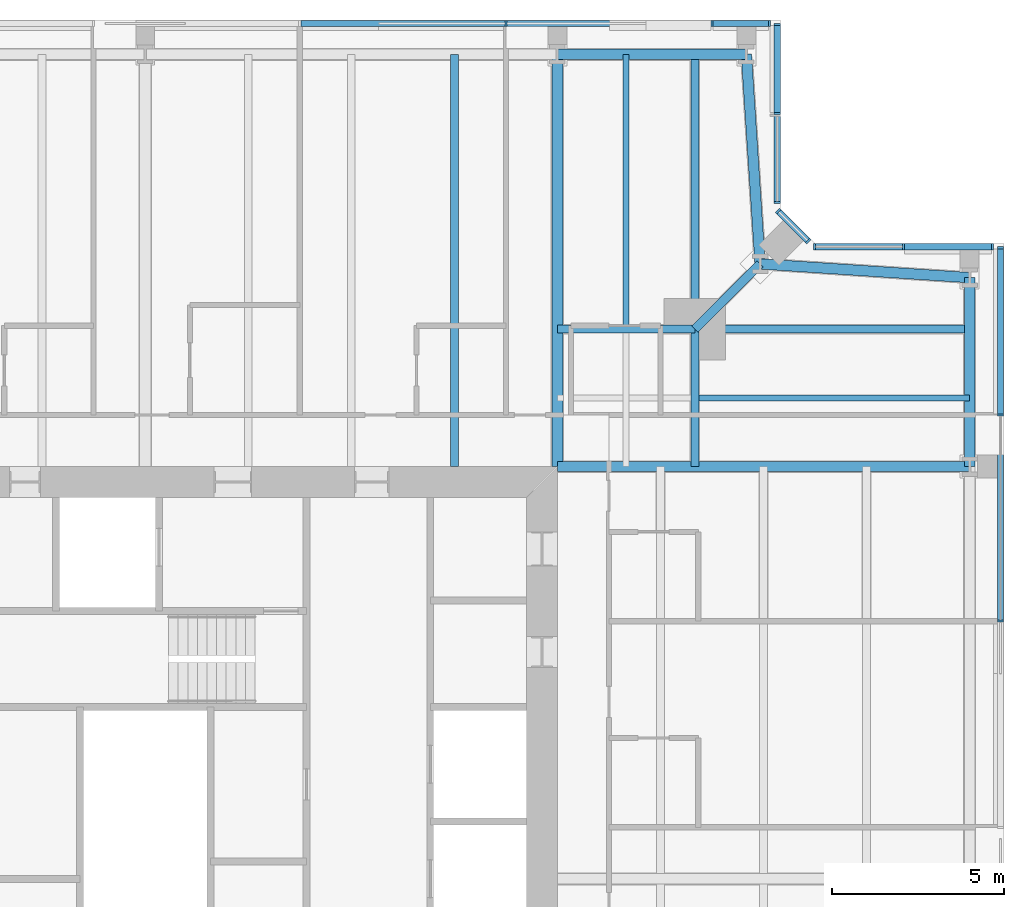
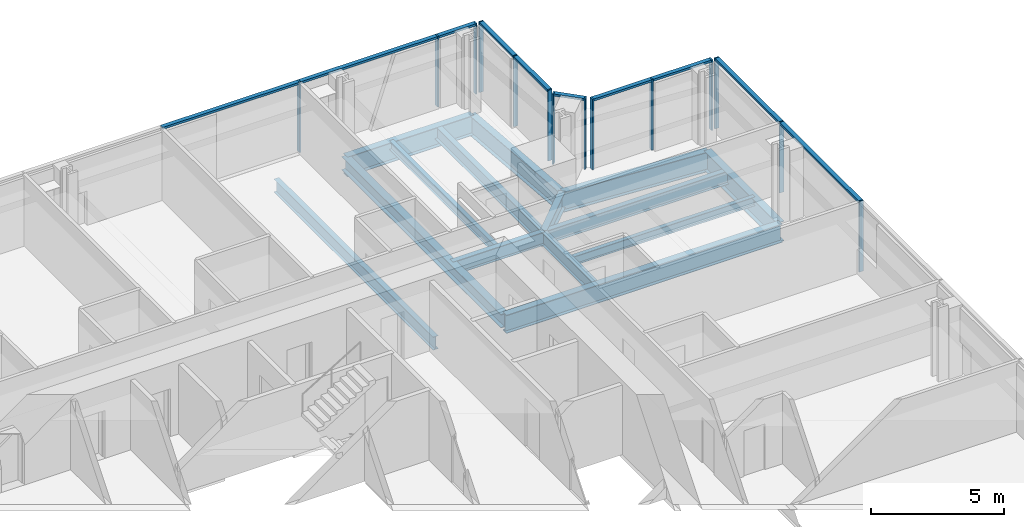
# One storey, part 9 of 20: 24 members, 14 beams, 5 elements without a shape of their own.
"""IFC4 building model written with IfcOpenShell, lengths in metres."""

from ifc_helpers import new_model, si_unit, direction, frame, origin, origin_2d, place, context, subcontext, project, spatial, rectangle, i_section, extrude, material, material_profile, profile_set, type_object, element, aggregate, save


model = new_model("IFC4")

# Units and contexts
model_context = context("Model", 3, precision=1e-05, world=origin(), true_north=direction((0.0, 1.0)))
body_context = subcontext(model_context, "Body", "Model", "MODEL_VIEW")
ifc_project = project(units=[si_unit("LENGTHUNIT", "METRE"), si_unit("AREAUNIT", "SQUARE_METRE"), si_unit("VOLUMEUNIT", "CUBIC_METRE"), si_unit("PLANEANGLEUNIT", "RADIAN"), si_unit("MASSUNIT", "GRAM", prefix="KILO")], contexts=[model_context])

# Site, building, storey
site_placement = place(None, origin())
site = spatial("IfcSite", under=ifc_project, at=site_placement, CompositionType="ELEMENT")
building_placement = place(site_placement, origin())
building = spatial("IfcBuilding", under=site, at=building_placement, Name="Fenwick Lantern Interchange", CompositionType="ELEMENT")
storey_placement = place(building_placement, frame((0.0, 0.0, 249.199951171875)))
storey = spatial("IfcBuildingStorey", under=building, at=storey_placement, Name="L58", CompositionType="ELEMENT", Elevation=249.199951171875)

# Beams
ifc_material_1 = material(Name="Steel ASTM A992 Grade 50", Category="steel")
ifc_material_profile_1 = material_profile(ifc_material_1, i_section(OverallWidth=0.3046875, OverallDepth=0.911865234375, WebThickness=0.015869140625, FlangeThickness=0.02392578125, at=origin_2d()), Name="W36X150")
ifc_profile_set_1 = profile_set([ifc_material_profile_1], Name="Steel ASTM A992 Grade 50")
beam_type_1 = type_object("IfcBeamType", Name="EDGE BEAM W36X150", PredefinedType="SPANDREL", material=ifc_profile_set_1)
beam_1_placement = place(storey_placement, frame((49.0, 37.0, -0.60595703125), z_axis=(0.0, 1.0, 0.0), x_axis=(-1.0, 0.0, 0.0)))
element("IfcBeam", 1, at=beam_1_placement, inside=storey, type_object=beam_type_1, Name="L58/FR/E/EB4", PredefinedType="SPANDREL", context=body_context, shape_type="SweptSolid", body=[
    extrude(i_section(OverallWidth=0.3046875, OverallDepth=0.911865234375, WebThickness=0.015869140625, FlangeThickness=0.02392578125, at=origin_2d()), origin(), (0.0, 0.0, 1.0), 5.5),
])
for number, where, z_axis, x_axis, name in (
    (2, (49.0, 42.5, -0.60595703125), (-0.997858060337, 0.065416293237, 0.0), (-0.065416293237, -0.997858060337, 0.0), "L58/FR/E/EBR1"),
    (3, (42.89990234375, 42.89990234375, -0.60595703125), (-0.065416293237, 0.997858060337, 0.0), (-0.997858060337, -0.065416293237, 0.0), "L58/FR/E/EBR2"),
):
    element("IfcBeam", number, at=place(storey_placement, frame(where, z_axis=z_axis, x_axis=x_axis)), inside=storey, type_object=beam_type_1, Name=name, PredefinedType="SPANDREL", context=body_context, shape_type="SweptSolid", body=[
        extrude(i_section(OverallWidth=0.3046875, OverallDepth=0.911865234375, WebThickness=0.015869140625, FlangeThickness=0.02392578125, at=origin_2d()), origin(), (0.0, 0.0, 1.0), 6.11328125),
    ])
beam_2_placement = place(storey_placement, frame((42.5, 49.0, -0.60595703125), z_axis=(-1.0, 0.0, 0.0), x_axis=(0.0, -1.0, 0.0)))
element("IfcBeam", 4, at=beam_2_placement, inside=storey, type_object=beam_type_1, Name="L58/FR/N/EB1", PredefinedType="SPANDREL", context=body_context, shape_type="SweptSolid", body=[
    extrude(i_section(OverallWidth=0.3046875, OverallDepth=0.911865234375, WebThickness=0.015869140625, FlangeThickness=0.02392578125, at=origin_2d()), origin(), (0.0, 0.0, 1.0), 5.5),
])
ifc_material_profile_2 = material_profile(ifc_material_1, i_section(OverallWidth=0.22900390625, OverallDepth=0.612060546875, WebThickness=0.011962890625, FlangeThickness=0.01953125, at=origin_2d()), Name="W24X84")
ifc_profile_set_2 = profile_set([ifc_material_profile_2], Name="Steel ASTM A992 Grade 50")
beam_type_2 = type_object("IfcBeamType", Name="FLOOR BEAM W24X84", PredefinedType="BEAM", material=ifc_profile_set_2)
beam_3_placement = place(storey_placement, frame((34.0, 49.0, -0.4560546875), z_axis=(0.0, -1.0, 0.0), x_axis=(1.0, 0.0, 0.0)))
element("IfcBeam", 5, at=beam_3_placement, inside=storey, type_object=beam_type_2, Name="L58/FR/N/R02", PredefinedType="BEAM", context=body_context, shape_type="SweptSolid", body=[
    extrude(i_section(OverallWidth=0.22900390625, OverallDepth=0.612060546875, WebThickness=0.011962890625, FlangeThickness=0.01953125, at=origin_2d()), origin(), (0.0, 0.0, 1.0), 12.0),
])

# Curtain wall, members
ifc_material_2 = material(Name="Aluminium curtain wall frame", Category="aluminium")
curtain_wall_type = type_object("IfcCurtainWallType", Name="HOTEL CURTAIN WALL", PredefinedType="USERDEFINED", material=ifc_material_2)
curtain_wall_1_placement = place(storey_placement, origin())
curtain_wall_1 = element("IfcCurtainWall", 6, at=curtain_wall_1_placement, inside=storey, type_object=curtain_wall_type, Name="Hotel curtain wall 05", ObjectType="HOTEL CURTAIN WALL", PredefinedType="USERDEFINED")
ifc_material_3 = material(Name="Aluminium extrusion", Category="aluminium")
ifc_material_profile_3 = material_profile(ifc_material_3, rectangle(XDim=0.179931640625, YDim=0.06005859375, at=origin_2d()), Name="HOTEL CURTAIN WALL MULLION 60 X 180")
ifc_profile_set_3 = profile_set([ifc_material_profile_3], Name="Aluminium extrusion")
member_type_1 = type_object("IfcMemberType", Name="HOTEL CURTAIN WALL MULLION 60 X 180", PredefinedType="MULLION", material=ifc_profile_set_3)
member_1_placement = place(storey_placement, frame((49.89990234375, 32.5, 0.0), z_axis=(0.0, 0.0, 1.0), x_axis=(-1.0, 0.0, 0.0)))
member_1 = element("IfcMember", 7, at=member_1_placement, type_object=member_type_1, Name="L58/CW/05/M05", PredefinedType="MULLION", context=body_context, shape_type="SweptSolid", body=[
    extrude(rectangle(XDim=0.179931640625, YDim=0.06005859375, at=origin_2d()), origin(), (0.0, 0.0, 1.0), 3.25),
])
member_2_placement = place(storey_placement, frame((49.89990234375, 38.5, 0.0), z_axis=(0.0, 0.0, 1.0), x_axis=(-1.0, 0.0, 0.0)))
member_2 = element("IfcMember", 8, at=member_2_placement, type_object=member_type_1, Name="L58/CW/05/M06", PredefinedType="MULLION", context=body_context, shape_type="SweptSolid", body=[
    extrude(rectangle(XDim=0.179931640625, YDim=0.06005859375, at=origin_2d()), origin(), (0.0, 0.0, 1.0), 3.25),
])
member_3_placement = place(storey_placement, frame((49.89990234375, 43.3701171875, 0.0), z_axis=(0.0, 0.0, 1.0), x_axis=(-1.0, 0.0, 0.0)))
member_3 = element("IfcMember", 9, at=member_3_placement, type_object=member_type_1, Name="L58/CW/05/M07", PredefinedType="MULLION", context=body_context, shape_type="SweptSolid", body=[
    extrude(rectangle(XDim=0.179931640625, YDim=0.06005859375, at=origin_2d()), origin(), (0.0, 0.0, 1.0), 3.25),
])

curtain_wall_2_placement = place(storey_placement, origin())
curtain_wall_2 = element("IfcCurtainWall", 10, at=curtain_wall_2_placement, inside=storey, type_object=curtain_wall_type, Name="Hotel curtain wall 06", ObjectType="HOTEL CURTAIN WALL", PredefinedType="USERDEFINED")
member_4_placement = place(storey_placement, frame((49.669921875, 43.39990234375, 0.0), z_axis=(0.0, 0.0, 1.0), x_axis=(0.0, -1.0, 0.0)))
member_4 = element("IfcMember", 11, at=member_4_placement, type_object=member_type_1, Name="L58/CW/06/M00", PredefinedType="MULLION", context=body_context, shape_type="SweptSolid", body=[
    extrude(rectangle(XDim=0.179931640625, YDim=0.06005859375, at=origin_2d()), origin(), (0.0, 0.0, 1.0), 3.25),
])
member_5_placement = place(storey_placement, frame((47.079345703125, 43.39990234375, 0.0), z_axis=(0.0, 0.0, 1.0), x_axis=(0.0, -1.0, 0.0)))
member_5 = element("IfcMember", 12, at=member_5_placement, type_object=member_type_1, Name="L58/CW/06/M01", PredefinedType="MULLION", context=body_context, shape_type="SweptSolid", body=[
    extrude(rectangle(XDim=0.179931640625, YDim=0.06005859375, at=origin_2d()), origin(), (0.0, 0.0, 1.0), 3.25),
])
member_6_placement = place(storey_placement, frame((44.488525390625, 43.39990234375, 0.0), z_axis=(0.0, 0.0, 1.0), x_axis=(0.0, -1.0, 0.0)))
member_6 = element("IfcMember", 13, at=member_6_placement, type_object=member_type_1, Name="L58/CW/06/M02", PredefinedType="MULLION", context=body_context, shape_type="SweptSolid", body=[
    extrude(rectangle(XDim=0.179931640625, YDim=0.06005859375, at=origin_2d()), origin(), (0.0, 0.0, 1.0), 3.25),
])

curtain_wall_3_placement = place(storey_placement, origin())
curtain_wall_3 = element("IfcCurtainWall", 14, at=curtain_wall_3_placement, inside=storey, type_object=curtain_wall_type, Name="Hotel curtain wall 07", ObjectType="HOTEL CURTAIN WALL", PredefinedType="USERDEFINED")
member_7_placement = place(storey_placement, frame((44.2958984375, 43.562744140625, 0.0), z_axis=(0.0, 0.0, 1.0), x_axis=(-0.707106781187, -0.707106781187, 0.0)))
member_7 = element("IfcMember", 15, at=member_7_placement, type_object=member_type_1, Name="L58/CW/07/M00", PredefinedType="MULLION", context=body_context, shape_type="SweptSolid", body=[
    extrude(rectangle(XDim=0.179931640625, YDim=0.06005859375, at=origin_2d()), origin(), (0.0, 0.0, 1.0), 3.25),
])
member_8_placement = place(storey_placement, frame((43.421142578125, 44.437255859375, 0.0), z_axis=(0.0, 0.0, 1.0), x_axis=(-0.707106781187, -0.707106781187, 0.0)))
member_8 = element("IfcMember", 16, at=member_8_placement, type_object=member_type_1, Name="L58/CW/07/M01", PredefinedType="MULLION", context=body_context, shape_type="SweptSolid", body=[
    extrude(rectangle(XDim=0.179931640625, YDim=0.06005859375, at=origin_2d()), origin(), (0.0, 0.0, 1.0), 3.25),
])

curtain_wall_4_placement = place(storey_placement, origin())
curtain_wall_4 = element("IfcCurtainWall", 17, at=curtain_wall_4_placement, inside=storey, type_object=curtain_wall_type, Name="Hotel curtain wall 08", ObjectType="HOTEL CURTAIN WALL", PredefinedType="USERDEFINED")
member_9_placement = place(storey_placement, frame((43.39990234375, 44.6884765625, 0.0), z_axis=(0.0, 0.0, 1.0), x_axis=(-1.0, 0.0, 0.0)))
member_9 = element("IfcMember", 18, at=member_9_placement, type_object=member_type_1, Name="L58/CW/08/M00", PredefinedType="MULLION", context=body_context, shape_type="SweptSolid", body=[
    extrude(rectangle(XDim=0.179931640625, YDim=0.06005859375, at=origin_2d()), origin(), (0.0, 0.0, 1.0), 3.25),
])
member_10_placement = place(storey_placement, frame((43.39990234375, 47.279296875, 0.0), z_axis=(0.0, 0.0, 1.0), x_axis=(-1.0, 0.0, 0.0)))
member_10 = element("IfcMember", 19, at=member_10_placement, type_object=member_type_1, Name="L58/CW/08/M01", PredefinedType="MULLION", context=body_context, shape_type="SweptSolid", body=[
    extrude(rectangle(XDim=0.179931640625, YDim=0.06005859375, at=origin_2d()), origin(), (0.0, 0.0, 1.0), 3.25),
])
member_11_placement = place(storey_placement, frame((43.39990234375, 49.8701171875, 0.0), z_axis=(0.0, 0.0, 1.0), x_axis=(-1.0, 0.0, 0.0)))
member_11 = element("IfcMember", 20, at=member_11_placement, type_object=member_type_1, Name="L58/CW/08/M02", PredefinedType="MULLION", context=body_context, shape_type="SweptSolid", body=[
    extrude(rectangle(XDim=0.179931640625, YDim=0.06005859375, at=origin_2d()), origin(), (0.0, 0.0, 1.0), 3.25),
])

curtain_wall_5_placement = place(storey_placement, origin())
curtain_wall_5 = element("IfcCurtainWall", 21, at=curtain_wall_5_placement, inside=storey, type_object=curtain_wall_type, Name="Hotel curtain wall 09", ObjectType="HOTEL CURTAIN WALL", PredefinedType="USERDEFINED")
member_12_placement = place(storey_placement, frame((43.169921875, 49.89990234375, 0.0), z_axis=(0.0, 0.0, 1.0), x_axis=(0.0, -1.0, 0.0)))
member_12 = element("IfcMember", 22, at=member_12_placement, type_object=member_type_1, Name="L58/CW/09/M00", PredefinedType="MULLION", context=body_context, shape_type="SweptSolid", body=[
    extrude(rectangle(XDim=0.179931640625, YDim=0.06005859375, at=origin_2d()), origin(), (0.0, 0.0, 1.0), 3.25),
])
member_13_placement = place(storey_placement, frame((41.5, 49.89990234375, 0.0), z_axis=(0.0, 0.0, 1.0), x_axis=(0.0, -1.0, 0.0)))
member_13 = element("IfcMember", 23, at=member_13_placement, type_object=member_type_1, Name="L58/CW/09/M01", PredefinedType="MULLION", context=body_context, shape_type="SweptSolid", body=[
    extrude(rectangle(XDim=0.179931640625, YDim=0.06005859375, at=origin_2d()), origin(), (0.0, 0.0, 1.0), 3.25),
])
member_14_placement = place(storey_placement, frame((35.5, 49.89990234375, 0.0), z_axis=(0.0, 0.0, 1.0), x_axis=(0.0, -1.0, 0.0)))
member_14 = element("IfcMember", 24, at=member_14_placement, type_object=member_type_1, Name="L58/CW/09/M02", PredefinedType="MULLION", context=body_context, shape_type="SweptSolid", body=[
    extrude(rectangle(XDim=0.179931640625, YDim=0.06005859375, at=origin_2d()), origin(), (0.0, 0.0, 1.0), 3.25),
])

# Member
ifc_material_profile_4 = material_profile(ifc_material_3, rectangle(XDim=0.179931640625, YDim=0.10009765625, at=origin_2d()), Name="HOTEL CURTAIN WALL TRANSOM 100 X 180")
ifc_profile_set_4 = profile_set([ifc_material_profile_4], Name="Aluminium extrusion")
member_type_2 = type_object("IfcMemberType", Name="HOTEL CURTAIN WALL TRANSOM 100 X 180", PredefinedType="MULLION", material=ifc_profile_set_4)
member_15_placement = place(storey_placement, frame((49.89990234375, 32.530029296875, 3.199951171875), z_axis=(0.0, 1.0, 0.0), x_axis=(-1.0, 0.0, 0.0)))
member_15 = element("IfcMember", 25, at=member_15_placement, type_object=member_type_2, Name="L58/CW/05/T05", PredefinedType="MULLION", context=body_context, shape_type="SweptSolid", body=[
    extrude(rectangle(XDim=0.179931640625, YDim=0.10009765625, at=origin_2d()), origin(), (0.0, 0.0, 1.0), 5.93994140625),
])

member_16_placement = place(storey_placement, frame((49.89990234375, 38.530029296875, 3.199951171875), z_axis=(0.0, 1.0, 0.0), x_axis=(-1.0, 0.0, 0.0)))
member_16 = element("IfcMember", 26, at=member_16_placement, type_object=member_type_2, Name="L58/CW/05/T06", PredefinedType="MULLION", context=body_context, shape_type="SweptSolid", body=[
    extrude(rectangle(XDim=0.179931640625, YDim=0.10009765625, at=origin_2d()), origin(), (0.0, 0.0, 1.0), 4.81005859375),
])

aggregate(curtain_wall_1, [member_1, member_2, member_3, member_15, member_16])

member_17_placement = place(storey_placement, frame((49.639892578125, 43.39990234375, 3.199951171875), z_axis=(-1.0, 0.0, 0.0), x_axis=(0.0, -1.0, 0.0)))
member_17 = element("IfcMember", 27, at=member_17_placement, type_object=member_type_2, Name="L58/CW/06/T00", PredefinedType="MULLION", context=body_context, shape_type="SweptSolid", body=[
    extrude(rectangle(XDim=0.179931640625, YDim=0.10009765625, at=origin_2d()), origin(), (0.0, 0.0, 1.0), 2.530517578125),
])

member_18_placement = place(storey_placement, frame((47.04931640625, 43.39990234375, 3.199951171875), z_axis=(-1.0, 0.0, 0.0), x_axis=(0.0, -1.0, 0.0)))
member_18 = element("IfcMember", 28, at=member_18_placement, type_object=member_type_2, Name="L58/CW/06/T01", PredefinedType="MULLION", context=body_context, shape_type="SweptSolid", body=[
    extrude(rectangle(XDim=0.179931640625, YDim=0.10009765625, at=origin_2d()), origin(), (0.0, 0.0, 1.0), 2.53076171875),
])

aggregate(curtain_wall_2, [member_4, member_5, member_6, member_17, member_18])

member_19_placement = place(storey_placement, frame((44.274658203125, 43.583740234375, 3.199951171875), z_axis=(-0.707003077033, 0.707210470133, 0.0), x_axis=(-0.707210470133, -0.707003077033, 0.0)))
member_19 = element("IfcMember", 29, at=member_19_placement, type_object=member_type_2, Name="L58/CW/07/T00", PredefinedType="MULLION", context=body_context, shape_type="SweptSolid", body=[
    extrude(rectangle(XDim=0.179931640625, YDim=0.10009765625, at=origin_2d()), origin(), (0.0, 0.0, 1.0), 1.17724609375),
])

aggregate(curtain_wall_3, [member_7, member_8, member_19])

member_20_placement = place(storey_placement, frame((43.39990234375, 44.718505859375, 3.199951171875), z_axis=(0.0, 1.0, 0.0), x_axis=(-1.0, 0.0, 0.0)))
member_20 = element("IfcMember", 30, at=member_20_placement, type_object=member_type_2, Name="L58/CW/08/T00", PredefinedType="MULLION", context=body_context, shape_type="SweptSolid", body=[
    extrude(rectangle(XDim=0.179931640625, YDim=0.10009765625, at=origin_2d()), origin(), (0.0, 0.0, 1.0), 2.53076171875),
])

member_21_placement = place(storey_placement, frame((43.39990234375, 47.309326171875, 3.199951171875), z_axis=(0.0, 1.0, 0.0), x_axis=(-1.0, 0.0, 0.0)))
member_21 = element("IfcMember", 31, at=member_21_placement, type_object=member_type_2, Name="L58/CW/08/T01", PredefinedType="MULLION", context=body_context, shape_type="SweptSolid", body=[
    extrude(rectangle(XDim=0.179931640625, YDim=0.10009765625, at=origin_2d()), origin(), (0.0, 0.0, 1.0), 2.53076171875),
])

aggregate(curtain_wall_4, [member_9, member_10, member_11, member_20, member_21])

member_22_placement = place(storey_placement, frame((43.139892578125, 49.89990234375, 3.199951171875), z_axis=(-1.0, 0.0, 0.0), x_axis=(0.0, -1.0, 0.0)))
member_22 = element("IfcMember", 32, at=member_22_placement, type_object=member_type_2, Name="L58/CW/09/T00", PredefinedType="MULLION", context=body_context, shape_type="SweptSolid", body=[
    extrude(rectangle(XDim=0.179931640625, YDim=0.10009765625, at=origin_2d()), origin(), (0.0, 0.0, 1.0), 1.60986328125),
])

member_23_placement = place(storey_placement, frame((41.469970703125, 49.89990234375, 3.199951171875), z_axis=(-1.0, 0.0, 0.0), x_axis=(0.0, -1.0, 0.0)))
member_23 = element("IfcMember", 33, at=member_23_placement, type_object=member_type_2, Name="L58/CW/09/T01", PredefinedType="MULLION", context=body_context, shape_type="SweptSolid", body=[
    extrude(rectangle(XDim=0.179931640625, YDim=0.10009765625, at=origin_2d()), origin(), (0.0, 0.0, 1.0), 5.93994140625),
])

member_24_placement = place(storey_placement, frame((35.469970703125, 49.89990234375, 3.199951171875), z_axis=(-1.0, 0.0, 0.0), x_axis=(0.0, -1.0, 0.0)))
member_24 = element("IfcMember", 34, at=member_24_placement, type_object=member_type_2, Name="L58/CW/09/T02", PredefinedType="MULLION", context=body_context, shape_type="SweptSolid", body=[
    extrude(rectangle(XDim=0.179931640625, YDim=0.10009765625, at=origin_2d()), origin(), (0.0, 0.0, 1.0), 5.93994140625),
])

aggregate(curtain_wall_5, [member_12, member_13, member_14, member_22, member_23, member_24])

# Beams
ifc_material_profile_5 = material_profile(ifc_material_1, i_section(OverallWidth=0.177734375, OverallDepth=0.406494140625, WebThickness=0.0078125, FlangeThickness=0.012939453125, at=origin_2d()), Name="W16X40")
ifc_profile_set_5 = profile_set([ifc_material_profile_5], Name="Steel ASTM A992 Grade 50")
beam_type_3 = type_object("IfcBeamType", Name="INFILL BEAM W16X40", PredefinedType="JOIST", material=ifc_profile_set_5)
for number, where, z_axis, x_axis, name in (
    (35, (39.0, 49.0, -0.353271484375), (0.0, -1.0, 0.0), (1.0, 0.0, 0.0), "L58/FR/N/J1"),
    (36, (49.0, 39.0, -0.353271484375), (-1.0, 0.0, 0.0), (0.0, -1.0, 0.0), "L58/FR/N/J3"),
):
    element("IfcBeam", number, at=place(storey_placement, frame(where, z_axis=z_axis, x_axis=x_axis)), inside=storey, type_object=beam_type_3, Name=name, PredefinedType="JOIST", context=body_context, shape_type="SweptSolid", body=[
        extrude(i_section(OverallWidth=0.177734375, OverallDepth=0.406494140625, WebThickness=0.0078125, FlangeThickness=0.012939453125, at=origin_2d()), origin(), (0.0, 0.0, 1.0), 7.885498046875),
    ])
ifc_material_profile_6 = material_profile(ifc_material_1, i_section(OverallWidth=0.22900390625, OverallDepth=0.612060546875, WebThickness=0.011962890625, FlangeThickness=0.01953125, at=origin_2d()), Name="W24X84")
ifc_profile_set_6 = profile_set([ifc_material_profile_6], Name="Steel ASTM A992 Grade 50")
beam_type_4 = type_object("IfcBeamType", Name="MEGA COLUMN BEAM W24X84", PredefinedType="BEAM", material=ifc_profile_set_6)
for number, where, z_axis, x_axis, name in (
    (37, (41.0, 41.0, -0.4560546875), (0.0, 1.0, 0.0), (-1.0, 0.0, 0.0), "L58/FR/N/MB1"),
    (38, (41.0, 41.0, -0.4560546875), (1.0, 0.0, 0.0), (0.0, 1.0, 0.0), "L58/FR/N/MB2"),
):
    element("IfcBeam", number, at=place(storey_placement, frame(where, z_axis=z_axis, x_axis=x_axis)), inside=storey, type_object=beam_type_4, Name=name, PredefinedType="BEAM", context=body_context, shape_type="SweptSolid", body=[
        extrude(i_section(OverallWidth=0.22900390625, OverallDepth=0.612060546875, WebThickness=0.011962890625, FlangeThickness=0.01953125, at=origin_2d()), origin(), (0.0, 0.0, 1.0), 8.0),
    ])
for number, where, z_axis, x_axis, name in (
    (39, (41.0, 41.0, -0.4560546875), (-1.0, 0.0, 0.0), (0.0, -1.0, 0.0), "L58/FR/N/MB3"),
    (40, (41.0, 41.0, -0.4560546875), (0.0, -1.0, 0.0), (1.0, 0.0, 0.0), "L58/FR/N/MB4"),
):
    element("IfcBeam", number, at=place(storey_placement, frame(where, z_axis=z_axis, x_axis=x_axis)), inside=storey, type_object=beam_type_4, Name=name, PredefinedType="BEAM", context=body_context, shape_type="SweptSolid", body=[
        extrude(i_section(OverallWidth=0.22900390625, OverallDepth=0.612060546875, WebThickness=0.011962890625, FlangeThickness=0.01953125, at=origin_2d()), origin(), (0.0, 0.0, 1.0), 4.0),
    ])
ifc_material_profile_7 = material_profile(ifc_material_1, i_section(OverallWidth=0.32763671875, OverallDepth=0.622314453125, WebThickness=0.015380859375, FlangeThickness=0.0244140625, at=origin_2d()), Name="W24X131")
ifc_profile_set_7 = profile_set([ifc_material_profile_7], Name="Steel ASTM A992 Grade 50")
beam_type_5 = type_object("IfcBeamType", Name="MOMENT-CONNECTED GIRDER W24X131", PredefinedType="BEAM", material=ifc_profile_set_7)
beam_4_placement = place(storey_placement, frame((37.0, 49.0, -0.461181640625), z_axis=(0.0, -1.0, 0.0), x_axis=(1.0, 0.0, 0.0)))
element("IfcBeam", 41, at=beam_4_placement, inside=storey, type_object=beam_type_5, Name="L58/FR/N/R01", PredefinedType="BEAM", context=body_context, shape_type="SweptSolid", body=[
    extrude(i_section(OverallWidth=0.32763671875, OverallDepth=0.622314453125, WebThickness=0.015380859375, FlangeThickness=0.0244140625, at=origin_2d()), origin(), (0.0, 0.0, 1.0), 12.0),
])
ifc_material_profile_8 = material_profile(ifc_material_1, i_section(OverallWidth=0.2919921875, OverallDepth=0.845703125, WebThickness=0.015380859375, FlangeThickness=0.0244140625, at=origin_2d()), Name="W33X141")
ifc_profile_set_8 = profile_set([ifc_material_profile_8], Name="Steel ASTM A992 Grade 50")
beam_type_6 = type_object("IfcBeamType", Name="MOMENT-CONNECTED GIRDER W33X141", PredefinedType="BEAM", material=ifc_profile_set_8)
beam_5_placement = place(storey_placement, frame((49.0, 37.0, -0.57275390625), z_axis=(-1.0, 0.0, 0.0), x_axis=(0.0, -1.0, 0.0)))
element("IfcBeam", 42, at=beam_5_placement, inside=storey, type_object=beam_type_6, Name="L58/FR/E/R03", PredefinedType="BEAM", context=body_context, shape_type="SweptSolid", body=[
    extrude(i_section(OverallWidth=0.2919921875, OverallDepth=0.845703125, WebThickness=0.015380859375, FlangeThickness=0.0244140625, at=origin_2d()), origin(), (0.0, 0.0, 1.0), 12.0),
])
ifc_material_profile_9 = material_profile(ifc_material_1, i_section(OverallWidth=0.2666015625, OverallDepth=0.7568359375, WebThickness=0.013916015625, FlangeThickness=0.019287109375, at=origin_2d()), Name="W30X108")
ifc_profile_set_9 = profile_set([ifc_material_profile_9], Name="Steel ASTM A992 Grade 50")
beam_type_7 = type_object("IfcBeamType", Name="NOTCH BEAM W30X108", PredefinedType="BEAM", material=ifc_profile_set_9)
beam_6_placement = place(storey_placement, frame((41.0, 41.0, -0.5283203125), z_axis=(0.707106781187, 0.707106781187, 0.0), x_axis=(-0.707106781187, 0.707106781187, 0.0)))
element("IfcBeam", 43, at=beam_6_placement, inside=storey, type_object=beam_type_7, Name="L58/FR/N/TG", PredefinedType="BEAM", context=body_context, shape_type="SweptSolid", body=[
    extrude(i_section(OverallWidth=0.2666015625, OverallDepth=0.7568359375, WebThickness=0.013916015625, FlangeThickness=0.019287109375, at=origin_2d()), origin(), (0.0, 0.0, 1.0), 2.686767578125),
])

save(model, "model.ifc")
